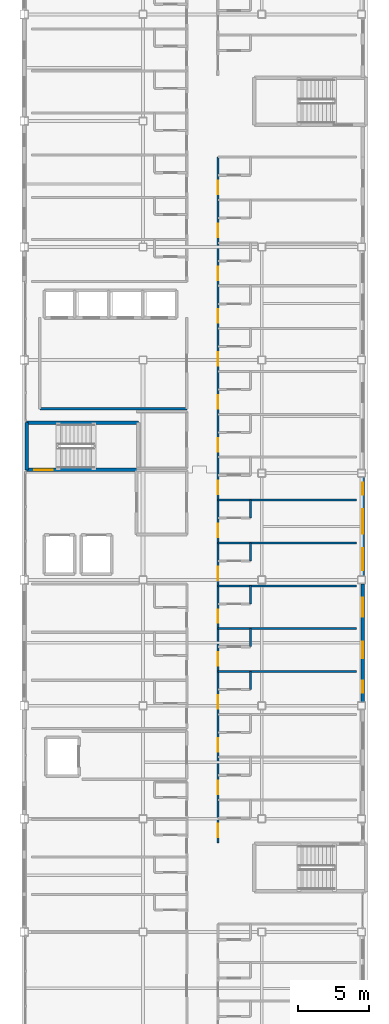
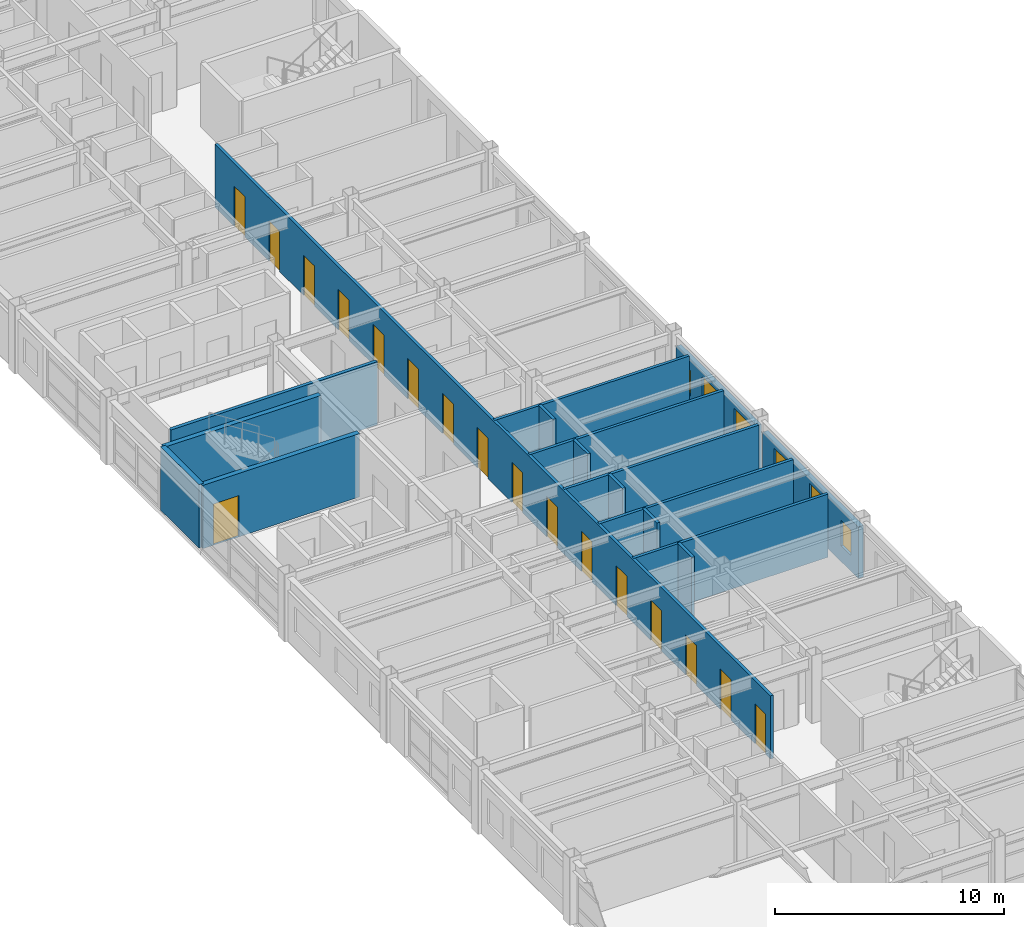
# One storey, part 28 of 36: 17 doors, 17 walls, 6 windows, 23 openings.
"""IFC4 building model written with IfcOpenShell, lengths in metres."""

from ifc_helpers import new_model, si_unit, direction, frame, frame_2d, origin, place, context, subcontext, project, spatial, rectangle, extrude, material, layer, layer_set, type_object, element, fill, save


model = new_model("IFC4")

# Units and contexts
model_context = context("Model", 3, precision=1e-05, world=origin(), true_north=direction((0.0, 1.0)))
body_context = subcontext(model_context, "Body", "Model", "MODEL_VIEW")
ifc_project = project(units=[si_unit("LENGTHUNIT", "METRE"), si_unit("AREAUNIT", "SQUARE_METRE"), si_unit("VOLUMEUNIT", "CUBIC_METRE"), si_unit("PLANEANGLEUNIT", "RADIAN"), si_unit("MASSUNIT", "GRAM", prefix="KILO")], contexts=[model_context])

# Site, building, storey
site_placement = place(None, origin())
site = spatial("IfcSite", under=ifc_project, at=site_placement, CompositionType="ELEMENT")
building_placement = place(site_placement, origin())
building = spatial("IfcBuilding", under=site, at=building_placement, Name="Kazehara Bluff Congress Hotel", CompositionType="ELEMENT")
storey_placement = place(building_placement, frame((0.0, 0.0, 31.800048828125)))
storey = spatial("IfcBuildingStorey", under=building, at=storey_placement, Name="L07", CompositionType="ELEMENT", Elevation=31.800048828125)

# Wall
ifc_material_1 = material(Name="Concrete C40/50", Category="concrete")
ifc_layer_1 = layer(ifc_material_1, 0.25)
ifc_layer_set_1 = layer_set([ifc_layer_1], Name="Concrete C40/50")
wall_type_1 = type_object("IfcWallType", Name="TP-CW-RC", PredefinedType="SHEAR", material=ifc_layer_set_1)
wall_1_placement = place(storey_placement, frame((143.875, 48.675048828125, 0.0), z_axis=(0.0, 0.0, 1.0), x_axis=(0.0, 1.0, 0.0)))
element("IfcWall", 1, at=wall_1_placement, inside=storey, type_object=wall_type_1, Name="L07 ST-11 core wall near", PredefinedType="SHEAR", context=body_context, shape_type="SweptSolid", body=[
    extrude(rectangle(XDim=3.349853515625, YDim=0.25, at=frame_2d((1.6748046875, 0.0))), origin(), (0.0, 0.0, 1.0), 3.3798828125),
])

# Wall, opening, door
wall_2_placement = place(storey_placement, frame((151.77490234375, 48.675048828125, 0.0), z_axis=(0.0, 0.0, 1.0), x_axis=(-1.0, 0.0, 0.0)))
wall_2 = element("IfcWall", 2, at=wall_2_placement, inside=storey, type_object=wall_type_1, Name="L07 ST-11 core wall left", PredefinedType="SHEAR", context=body_context, shape_type="SweptSolid", body=[
    extrude(rectangle(XDim=7.89990234375, YDim=0.25, at=frame_2d((3.949951171875, 0.0))), origin(), (0.0, 0.0, 1.0), 3.3798828125),
])
opening_1_placement = place(wall_2_placement, frame((6.074951171875, 0.0, 0.0)))
opening_1 = element("IfcOpeningElement", 3, at=opening_1_placement, cuts=wall_2, Name="Opening FD-01", PredefinedType="OPENING", context=body_context, shape_type="SweptSolid", body=[
    extrude(rectangle(XDim=1.300048828125, YDim=2.199951171875, at=frame_2d((0.64990234375, 1.10009765625))), frame((0.0, 0.135009765625, 0.0), z_axis=(0.0, -1.0, 0.0), x_axis=(1.0, 0.0, 0.0)), (0.0, 0.0, 1.0), 0.27001953125),
])
ifc_material_2 = material(Name="Fire-rated painted steel leaf", Category="steel")
door_type_1 = type_object("IfcDoorType", Name="TP-FD-01", OperationType="NOTDEFINED", PredefinedType="DOOR", material=ifc_material_2)
door_1_placement = place(opening_1_placement, origin())
door_1 = element("IfcDoor", 4, at=door_1_placement, inside=storey, type_object=door_type_1, Name="L07 ST-11 fire stair door", OperationType="SINGLE_SWING_RIGHT", OverallHeight=2.199951171875, OverallWidth=1.300048828125, PredefinedType="DOOR", context=body_context, shape_type="SweptSolid", body=[
    extrude(rectangle(XDim=1.300048828125, YDim=2.199951171875, at=frame_2d((0.64990234375, 1.10009765625))), frame((0.0, 0.02490234375, 0.0), z_axis=(0.0, -1.0, 0.0), x_axis=(1.0, 0.0, 0.0)), (0.0, 0.0, 1.0), 0.050048828125),
])
fill(opening_1, door_1)

# Wall
wall_3_placement = place(storey_placement, frame((143.875, 52.02490234375, 0.0), z_axis=(0.0, 0.0, 1.0), x_axis=(1.0, 0.0, 0.0)))
element("IfcWall", 5, at=wall_3_placement, inside=storey, type_object=wall_type_1, Name="L07 ST-11 core wall right", PredefinedType="SHEAR", context=body_context, shape_type="SweptSolid", body=[
    extrude(rectangle(XDim=7.89990234375, YDim=0.25, at=frame_2d((3.949951171875, 0.0))), origin(), (0.0, 0.0, 1.0), 3.3798828125),
])

# Wall, openings, windows
ifc_material_3 = material(Name="Precast concrete C40/50", Category="concrete")
ifc_layer_2 = layer(ifc_material_3, 0.260009765625)
ifc_layer_set_2 = layer_set([ifc_layer_2], Name="Precast concrete C40/50")
wall_type_2 = type_object("IfcWallType", Name="TP-EW-260", PredefinedType="SOLIDWALL", material=ifc_layer_set_2)
wall_4_placement = place(storey_placement, frame((167.64990234375, 40.625, 0.0), z_axis=(0.0, 0.0, 1.0), x_axis=(0.0, -1.0, 0.0)))
wall_4 = element("IfcWall", 6, at=wall_4_placement, inside=storey, type_object=wall_type_2, Name="L07 hotel facade panel 93", PredefinedType="SOLIDWALL", context=body_context, shape_type="SweptSolid", body=[
    extrude(rectangle(XDim=8.35009765625, YDim=0.260009765625, at=frame_2d((4.175048828125, 0.0))), origin(), (0.0, 0.0, 1.0), 2.7548828125),
])
opening_2_placement = place(wall_4_placement, frame((6.85009765625, 0.0, 0.85009765625)))
opening_2 = element("IfcOpeningElement", 7, at=opening_2_placement, cuts=wall_4, Name="Opening WN-55", PredefinedType="OPENING", context=body_context, shape_type="SweptSolid", body=[
    extrude(rectangle(XDim=0.85009765625, YDim=1.35009765625, at=frame_2d((0.425048828125, 0.675048828125))), frame((0.0, 0.139892578125, 0.0), z_axis=(0.0, -1.0, 0.0), x_axis=(1.0, 0.0, 0.0)), (0.0, 0.0, 1.0), 0.280029296875),
])
opening_3_placement = place(wall_4_placement, frame((4.110107421875, 0.0, 0.85009765625)))
opening_3 = element("IfcOpeningElement", 8, at=opening_3_placement, cuts=wall_4, Name="Opening WN-03", PredefinedType="OPENING", context=body_context, shape_type="SweptSolid", body=[
    extrude(rectangle(XDim=1.14990234375, YDim=1.64990234375, at=frame_2d((0.574951171875, 0.824951171875))), frame((0.0, 0.139892578125, 0.0), z_axis=(0.0, -1.0, 0.0), x_axis=(1.0, 0.0, 0.0)), (0.0, 0.0, 1.0), 0.280029296875),
])
opening_4_placement = place(wall_4_placement, frame((0.97998046875, 0.0, 0.85009765625)))
opening_4 = element("IfcOpeningElement", 9, at=opening_4_placement, cuts=wall_4, Name="Opening WN-13", PredefinedType="OPENING", context=body_context, shape_type="SweptSolid", body=[
    extrude(rectangle(XDim=1.35009765625, YDim=1.64990234375, at=frame_2d((0.675048828125, 0.824951171875))), frame((0.0, 0.139892578125, 0.0), z_axis=(0.0, -1.0, 0.0), x_axis=(1.0, 0.0, 0.0)), (0.0, 0.0, 1.0), 0.280029296875),
])
ifc_material_4 = material(Name="Insulated low-E double glazing", Category="glass")
window_type_1 = type_object("IfcWindowType", Name="TP-WN-03", PartitioningType="SINGLE_PANEL", PredefinedType="WINDOW", material=ifc_material_4)
window_1_placement = place(opening_3_placement, origin())
window_1 = element("IfcWindow", 10, at=window_1_placement, inside=storey, type_object=window_type_1, Name="L07 guestroom window WN-03 174", OverallHeight=1.64990234375, OverallWidth=1.14990234375, PartitioningType="SINGLE_PANEL", PredefinedType="WINDOW", context=body_context, shape_type="SweptSolid", body=[
    extrude(rectangle(XDim=1.14990234375, YDim=1.64990234375, at=frame_2d((0.574951171875, 0.824951171875))), frame((0.0, 0.030029296875, 0.0), z_axis=(0.0, -1.0, 0.0), x_axis=(1.0, 0.0, 0.0)), (0.0, 0.0, 1.0), 0.06005859375),
])
fill(opening_3, window_1)
ifc_material_5 = material(Name="Insulated low-E double glazing", Category="glass")
window_type_2 = type_object("IfcWindowType", Name="TP-WN-13", PartitioningType="SINGLE_PANEL", PredefinedType="WINDOW", material=ifc_material_5)
window_2_placement = place(opening_4_placement, origin())
window_2 = element("IfcWindow", 11, at=window_2_placement, inside=storey, type_object=window_type_2, Name="L07 guestroom window WN-13 175", OverallHeight=1.64990234375, OverallWidth=1.35009765625, PartitioningType="SINGLE_PANEL", PredefinedType="WINDOW", context=body_context, shape_type="SweptSolid", body=[
    extrude(rectangle(XDim=1.35009765625, YDim=1.64990234375, at=frame_2d((0.675048828125, 0.824951171875))), frame((0.0, 0.030029296875, 0.0), z_axis=(0.0, -1.0, 0.0), x_axis=(1.0, 0.0, 0.0)), (0.0, 0.0, 1.0), 0.06005859375),
])
fill(opening_4, window_2)
ifc_material_6 = material(Name="Insulated low-E double glazing", Category="glass")
window_type_3 = type_object("IfcWindowType", Name="TP-WN-55", PartitioningType="SINGLE_PANEL", PredefinedType="WINDOW", material=ifc_material_6)
window_3_placement = place(opening_2_placement, origin())
window_3 = element("IfcWindow", 12, at=window_3_placement, inside=storey, type_object=window_type_3, Name="L07 guestroom window WN-55 173", OverallHeight=1.35009765625, OverallWidth=0.85009765625, PartitioningType="SINGLE_PANEL", PredefinedType="WINDOW", context=body_context, shape_type="SweptSolid", body=[
    extrude(rectangle(XDim=0.85009765625, YDim=1.35009765625, at=frame_2d((0.425048828125, 0.675048828125))), frame((0.0, 0.030029296875, 0.0), z_axis=(0.0, -1.0, 0.0), x_axis=(1.0, 0.0, 0.0)), (0.0, 0.0, 1.0), 0.06005859375),
])
fill(opening_2, window_3)

wall_5_placement = place(storey_placement, frame((167.64990234375, 48.175048828125, 0.0), z_axis=(0.0, 0.0, 1.0), x_axis=(0.0, -1.0, 0.0)))
wall_5 = element("IfcWall", 13, at=wall_5_placement, inside=storey, type_object=wall_type_2, Name="L07 hotel facade panel 94", PredefinedType="SOLIDWALL", context=body_context, shape_type="SweptSolid", body=[
    extrude(rectangle(XDim=7.0, YDim=0.260009765625, at=frame_2d((3.5, 0.0))), origin(), (0.0, 0.0, 1.0), 2.7548828125),
])
opening_5_placement = place(wall_5_placement, frame((5.050048828125, 0.0, 0.85009765625)))
opening_5 = element("IfcOpeningElement", 14, at=opening_5_placement, cuts=wall_5, Name="Opening WN-23", PredefinedType="OPENING", context=body_context, shape_type="SweptSolid", body=[
    extrude(rectangle(XDim=1.550048828125, YDim=1.64990234375, at=frame_2d((0.77490234375, 0.824951171875))), frame((0.0, 0.139892578125, 0.0), z_axis=(0.0, -1.0, 0.0), x_axis=(1.0, 0.0, 0.0)), (0.0, 0.0, 1.0), 0.280029296875),
])
opening_6_placement = place(wall_5_placement, frame((2.264892578125, 0.0, 0.85009765625)))
opening_6 = element("IfcOpeningElement", 15, at=opening_6_placement, cuts=wall_5, Name="Opening WN-33", PredefinedType="OPENING", context=body_context, shape_type="SweptSolid", body=[
    extrude(rectangle(XDim=1.75, YDim=1.64990234375, at=frame_2d((0.875, 0.824951171875))), frame((0.0, 0.139892578125, 0.0), z_axis=(0.0, -1.0, 0.0), x_axis=(1.0, 0.0, 0.0)), (0.0, 0.0, 1.0), 0.280029296875),
])
opening_7_placement = place(wall_5_placement, frame((0.389892578125, 0.0, 0.85009765625)))
opening_7 = element("IfcOpeningElement", 16, at=opening_7_placement, cuts=wall_5, Name="Opening WN-55", PredefinedType="OPENING", context=body_context, shape_type="SweptSolid", body=[
    extrude(rectangle(XDim=0.85009765625, YDim=1.35009765625, at=frame_2d((0.425048828125, 0.675048828125))), frame((0.0, 0.139892578125, 0.0), z_axis=(0.0, -1.0, 0.0), x_axis=(1.0, 0.0, 0.0)), (0.0, 0.0, 1.0), 0.280029296875),
])
ifc_material_7 = material(Name="Insulated low-E double glazing", Category="glass")
window_type_4 = type_object("IfcWindowType", Name="TP-WN-23", PartitioningType="SINGLE_PANEL", PredefinedType="WINDOW", material=ifc_material_7)
window_4_placement = place(opening_5_placement, origin())
window_4 = element("IfcWindow", 17, at=window_4_placement, inside=storey, type_object=window_type_4, Name="L07 guestroom window WN-23 176", OverallHeight=1.64990234375, OverallWidth=1.550048828125, PartitioningType="SINGLE_PANEL", PredefinedType="WINDOW", context=body_context, shape_type="SweptSolid", body=[
    extrude(rectangle(XDim=1.550048828125, YDim=1.64990234375, at=frame_2d((0.77490234375, 0.824951171875))), frame((0.0, 0.030029296875, 0.0), z_axis=(0.0, -1.0, 0.0), x_axis=(1.0, 0.0, 0.0)), (0.0, 0.0, 1.0), 0.06005859375),
])
fill(opening_5, window_4)
ifc_material_8 = material(Name="Insulated low-E double glazing", Category="glass")
window_type_5 = type_object("IfcWindowType", Name="TP-WN-33", PartitioningType="SINGLE_PANEL", PredefinedType="WINDOW", material=ifc_material_8)
window_5_placement = place(opening_6_placement, origin())
window_5 = element("IfcWindow", 18, at=window_5_placement, inside=storey, type_object=window_type_5, Name="L07 guestroom window WN-33 177", OverallHeight=1.64990234375, OverallWidth=1.75, PartitioningType="SINGLE_PANEL", PredefinedType="WINDOW", context=body_context, shape_type="SweptSolid", body=[
    extrude(rectangle(XDim=1.75, YDim=1.64990234375, at=frame_2d((0.875, 0.824951171875))), frame((0.0, 0.030029296875, 0.0), z_axis=(0.0, -1.0, 0.0), x_axis=(1.0, 0.0, 0.0)), (0.0, 0.0, 1.0), 0.06005859375),
])
fill(opening_6, window_5)
window_6_placement = place(opening_7_placement, origin())
window_6 = element("IfcWindow", 19, at=window_6_placement, inside=storey, type_object=window_type_3, Name="L07 guestroom window WN-55 178", OverallHeight=1.35009765625, OverallWidth=0.85009765625, PartitioningType="SINGLE_PANEL", PredefinedType="WINDOW", context=body_context, shape_type="SweptSolid", body=[
    extrude(rectangle(XDim=0.85009765625, YDim=1.35009765625, at=frame_2d((0.425048828125, 0.675048828125))), frame((0.0, 0.030029296875, 0.0), z_axis=(0.0, -1.0, 0.0), x_axis=(1.0, 0.0, 0.0)), (0.0, 0.0, 1.0), 0.06005859375),
])
fill(opening_7, window_6)

# Walls
ifc_material_9 = material(Name="Fire-rated gypsum board stud partition")
ifc_layer_3 = layer(ifc_material_9, 0.14990234375)
ifc_layer_set_3 = layer_set([ifc_layer_3], Name="Fire-rated gypsum board stud partition")
wall_type_3 = type_object("IfcWallType", Name="TP-PT-150", PredefinedType="PARTITIONING", material=ifc_layer_set_3)
for number, where, z_axis, x_axis, name in (
    (20, (157.39990234375, 34.419921875, 0.0), (0.0, 0.0, 1.0), (1.0, 0.0, 0.0), "L07 partition PT-150 888"),
    (21, (157.39990234375, 37.449951171875, 0.0), (0.0, 0.0, 1.0), (1.0, 0.0, 0.0), "L07 partition PT-150 892"),
    (22, (157.39990234375, 40.47998046875, 0.0), (0.0, 0.0, 1.0), (1.0, 0.0, 0.0), "L07 partition PT-150 895"),
    (23, (157.39990234375, 43.52001953125, 0.0), (0.0, 0.0, 1.0), (1.0, 0.0, 0.0), "L07 partition PT-150 899"),
    (24, (157.39990234375, 46.550048828125, 0.0), (0.0, 0.0, 1.0), (1.0, 0.0, 0.0), "L07 partition PT-150 902"),
):
    element("IfcWall", number, at=place(storey_placement, frame(where, z_axis=z_axis, x_axis=x_axis)), inside=storey, type_object=wall_type_3, Name=name, PredefinedType="PARTITIONING", context=body_context, shape_type="SweptSolid", body=[
        extrude(rectangle(XDim=9.800048828125, YDim=0.14990234375, at=frame_2d((4.89990234375, 0.0))), origin(), (0.0, 0.0, 1.0), 3.364990234375),
    ])

# Wall, openings, doors
wall_6_placement = place(storey_placement, frame((157.39990234375, 22.300048828125, 0.0), z_axis=(0.0, 0.0, 1.0), x_axis=(0.0, 1.0, 0.0)))
wall_6 = element("IfcWall", 25, at=wall_6_placement, inside=storey, type_object=wall_type_3, Name="L07 partition PT-150 983", PredefinedType="PARTITIONING", context=body_context, shape_type="SweptSolid", body=[
    extrude(rectangle(XDim=48.5, YDim=0.14990234375, at=frame_2d((24.25, 0.0))), origin(), (0.0, 0.0, 1.0), 3.364990234375),
])
opening_8_placement = place(wall_6_placement, frame((0.39990234375, 0.0, 0.0)))
opening_8 = element("IfcOpeningElement", 26, at=opening_8_placement, cuts=wall_6, Name="Opening GD-01", PredefinedType="OPENING", context=body_context, shape_type="SweptSolid", body=[
    extrude(rectangle(XDim=0.949951171875, YDim=2.14990234375, at=frame_2d((0.47509765625, 1.074951171875))), frame((0.0, 0.0849609375, 0.0), z_axis=(0.0, -1.0, 0.0), x_axis=(1.0, 0.0, 0.0)), (0.0, 0.0, 1.0), 0.169921875),
])
opening_9_placement = place(wall_6_placement, frame((3.429931640625, 0.0, 0.0)))
opening_9 = element("IfcOpeningElement", 27, at=opening_9_placement, cuts=wall_6, Name="Opening GD-01", PredefinedType="OPENING", context=body_context, shape_type="SweptSolid", body=[
    extrude(rectangle(XDim=0.949951171875, YDim=2.14990234375, at=frame_2d((0.47509765625, 1.074951171875))), frame((0.0, 0.0849609375, 0.0), z_axis=(0.0, -1.0, 0.0), x_axis=(1.0, 0.0, 0.0)), (0.0, 0.0, 1.0), 0.169921875),
])
opening_10_placement = place(wall_6_placement, frame((6.4599609375, 0.0, 0.0)))
opening_10 = element("IfcOpeningElement", 28, at=opening_10_placement, cuts=wall_6, Name="Opening GD-01", PredefinedType="OPENING", context=body_context, shape_type="SweptSolid", body=[
    extrude(rectangle(XDim=0.949951171875, YDim=2.14990234375, at=frame_2d((0.47509765625, 1.074951171875))), frame((0.0, 0.0849609375, 0.0), z_axis=(0.0, -1.0, 0.0), x_axis=(1.0, 0.0, 0.0)), (0.0, 0.0, 1.0), 0.169921875),
])
opening_11_placement = place(wall_6_placement, frame((9.4951171875, 0.0, 0.0)))
opening_11 = element("IfcOpeningElement", 29, at=opening_11_placement, cuts=wall_6, Name="Opening GD-01", PredefinedType="OPENING", context=body_context, shape_type="SweptSolid", body=[
    extrude(rectangle(XDim=0.949951171875, YDim=2.14990234375, at=frame_2d((0.47509765625, 1.074951171875))), frame((0.0, 0.0849609375, 0.0), z_axis=(0.0, -1.0, 0.0), x_axis=(1.0, 0.0, 0.0)), (0.0, 0.0, 1.0), 0.169921875),
])
opening_12_placement = place(wall_6_placement, frame((12.52490234375, 0.0, 0.0)))
opening_12 = element("IfcOpeningElement", 30, at=opening_12_placement, cuts=wall_6, Name="Opening GD-01", PredefinedType="OPENING", context=body_context, shape_type="SweptSolid", body=[
    extrude(rectangle(XDim=0.949951171875, YDim=2.14990234375, at=frame_2d((0.47509765625, 1.074951171875))), frame((0.0, 0.0849609375, 0.0), z_axis=(0.0, -1.0, 0.0), x_axis=(1.0, 0.0, 0.0)), (0.0, 0.0, 1.0), 0.169921875),
])
opening_13_placement = place(wall_6_placement, frame((15.554931640625, 0.0, 0.0)))
opening_13 = element("IfcOpeningElement", 31, at=opening_13_placement, cuts=wall_6, Name="Opening GD-01", PredefinedType="OPENING", context=body_context, shape_type="SweptSolid", body=[
    extrude(rectangle(XDim=0.949951171875, YDim=2.14990234375, at=frame_2d((0.47509765625, 1.074951171875))), frame((0.0, 0.0849609375, 0.0), z_axis=(0.0, -1.0, 0.0), x_axis=(1.0, 0.0, 0.0)), (0.0, 0.0, 1.0), 0.169921875),
])
opening_14_placement = place(wall_6_placement, frame((18.5849609375, 0.0, 0.0)))
opening_14 = element("IfcOpeningElement", 32, at=opening_14_placement, cuts=wall_6, Name="Opening GD-01", PredefinedType="OPENING", context=body_context, shape_type="SweptSolid", body=[
    extrude(rectangle(XDim=0.949951171875, YDim=2.14990234375, at=frame_2d((0.47509765625, 1.074951171875))), frame((0.0, 0.0849609375, 0.0), z_axis=(0.0, -1.0, 0.0), x_axis=(1.0, 0.0, 0.0)), (0.0, 0.0, 1.0), 0.169921875),
])
opening_15_placement = place(wall_6_placement, frame((21.6201171875, 0.0, 0.0)))
opening_15 = element("IfcOpeningElement", 33, at=opening_15_placement, cuts=wall_6, Name="Opening GD-01", PredefinedType="OPENING", context=body_context, shape_type="SweptSolid", body=[
    extrude(rectangle(XDim=0.949951171875, YDim=2.14990234375, at=frame_2d((0.47509765625, 1.074951171875))), frame((0.0, 0.0849609375, 0.0), z_axis=(0.0, -1.0, 0.0), x_axis=(1.0, 0.0, 0.0)), (0.0, 0.0, 1.0), 0.169921875),
])
opening_16_placement = place(wall_6_placement, frame((24.64990234375, 0.0, 0.0)))
opening_16 = element("IfcOpeningElement", 34, at=opening_16_placement, cuts=wall_6, Name="Opening GD-01", PredefinedType="OPENING", context=body_context, shape_type="SweptSolid", body=[
    extrude(rectangle(XDim=0.949951171875, YDim=2.14990234375, at=frame_2d((0.47509765625, 1.074951171875))), frame((0.0, 0.0849609375, 0.0), z_axis=(0.0, -1.0, 0.0), x_axis=(1.0, 0.0, 0.0)), (0.0, 0.0, 1.0), 0.169921875),
])
opening_17_placement = place(wall_6_placement, frame((27.679931640625, 0.0, 0.0)))
opening_17 = element("IfcOpeningElement", 35, at=opening_17_placement, cuts=wall_6, Name="Opening GD-01", PredefinedType="OPENING", context=body_context, shape_type="SweptSolid", body=[
    extrude(rectangle(XDim=0.949951171875, YDim=2.14990234375, at=frame_2d((0.47509765625, 1.074951171875))), frame((0.0, 0.0849609375, 0.0), z_axis=(0.0, -1.0, 0.0), x_axis=(1.0, 0.0, 0.0)), (0.0, 0.0, 1.0), 0.169921875),
])
opening_18_placement = place(wall_6_placement, frame((30.7099609375, 0.0, 0.0)))
opening_18 = element("IfcOpeningElement", 36, at=opening_18_placement, cuts=wall_6, Name="Opening GD-01", PredefinedType="OPENING", context=body_context, shape_type="SweptSolid", body=[
    extrude(rectangle(XDim=0.949951171875, YDim=2.14990234375, at=frame_2d((0.47509765625, 1.074951171875))), frame((0.0, 0.0849609375, 0.0), z_axis=(0.0, -1.0, 0.0), x_axis=(1.0, 0.0, 0.0)), (0.0, 0.0, 1.0), 0.169921875),
])
opening_19_placement = place(wall_6_placement, frame((33.7451171875, 0.0, 0.0)))
opening_19 = element("IfcOpeningElement", 37, at=opening_19_placement, cuts=wall_6, Name="Opening GD-01", PredefinedType="OPENING", context=body_context, shape_type="SweptSolid", body=[
    extrude(rectangle(XDim=0.949951171875, YDim=2.14990234375, at=frame_2d((0.47509765625, 1.074951171875))), frame((0.0, 0.0849609375, 0.0), z_axis=(0.0, -1.0, 0.0), x_axis=(1.0, 0.0, 0.0)), (0.0, 0.0, 1.0), 0.169921875),
])
opening_20_placement = place(wall_6_placement, frame((36.77490234375, 0.0, 0.0)))
opening_20 = element("IfcOpeningElement", 38, at=opening_20_placement, cuts=wall_6, Name="Opening GD-01", PredefinedType="OPENING", context=body_context, shape_type="SweptSolid", body=[
    extrude(rectangle(XDim=0.949951171875, YDim=2.14990234375, at=frame_2d((0.47509765625, 1.074951171875))), frame((0.0, 0.0849609375, 0.0), z_axis=(0.0, -1.0, 0.0), x_axis=(1.0, 0.0, 0.0)), (0.0, 0.0, 1.0), 0.169921875),
])
opening_21_placement = place(wall_6_placement, frame((39.804931640625, 0.0, 0.0)))
opening_21 = element("IfcOpeningElement", 39, at=opening_21_placement, cuts=wall_6, Name="Opening GD-01", PredefinedType="OPENING", context=body_context, shape_type="SweptSolid", body=[
    extrude(rectangle(XDim=0.949951171875, YDim=2.14990234375, at=frame_2d((0.47509765625, 1.074951171875))), frame((0.0, 0.0849609375, 0.0), z_axis=(0.0, -1.0, 0.0), x_axis=(1.0, 0.0, 0.0)), (0.0, 0.0, 1.0), 0.169921875),
])
opening_22_placement = place(wall_6_placement, frame((42.840087890625, 0.0, 0.0)))
opening_22 = element("IfcOpeningElement", 40, at=opening_22_placement, cuts=wall_6, Name="Opening GD-01", PredefinedType="OPENING", context=body_context, shape_type="SweptSolid", body=[
    extrude(rectangle(XDim=0.949951171875, YDim=2.14990234375, at=frame_2d((0.47509765625, 1.074951171875))), frame((0.0, 0.0849609375, 0.0), z_axis=(0.0, -1.0, 0.0), x_axis=(1.0, 0.0, 0.0)), (0.0, 0.0, 1.0), 0.169921875),
])
opening_23_placement = place(wall_6_placement, frame((45.8701171875, 0.0, 0.0)))
opening_23 = element("IfcOpeningElement", 41, at=opening_23_placement, cuts=wall_6, Name="Opening GD-01", PredefinedType="OPENING", context=body_context, shape_type="SweptSolid", body=[
    extrude(rectangle(XDim=0.949951171875, YDim=2.14990234375, at=frame_2d((0.47509765625, 1.074951171875))), frame((0.0, 0.0849609375, 0.0), z_axis=(0.0, -1.0, 0.0), x_axis=(1.0, 0.0, 0.0)), (0.0, 0.0, 1.0), 0.169921875),
])
ifc_material_10 = material(Name="Architectural oak veneer leaf")
door_type_2 = type_object("IfcDoorType", Name="TP-GD-01", OperationType="NOTDEFINED", PredefinedType="DOOR", material=ifc_material_10)
door_2_placement = place(opening_8_placement, origin())
door_2 = element("IfcDoor", 42, at=door_2_placement, inside=storey, type_object=door_type_2, Name="L07 Deluxe Twin Guest Room 186 door", OperationType="SINGLE_SWING_LEFT", OverallHeight=2.14990234375, OverallWidth=0.949951171875, PredefinedType="DOOR", context=body_context, shape_type="SweptSolid", body=[
    extrude(rectangle(XDim=0.949951171875, YDim=2.14990234375, at=frame_2d((0.47509765625, 1.074951171875))), frame((0.0, 0.02490234375, 0.0), z_axis=(0.0, -1.0, 0.0), x_axis=(1.0, 0.0, 0.0)), (0.0, 0.0, 1.0), 0.050048828125),
])
fill(opening_8, door_2)
door_3_placement = place(opening_9_placement, origin())
door_3 = element("IfcDoor", 43, at=door_3_placement, inside=storey, type_object=door_type_2, Name="L07 Standard King Guest Room 187 door", OperationType="SINGLE_SWING_LEFT", OverallHeight=2.14990234375, OverallWidth=0.949951171875, PredefinedType="DOOR", context=body_context, shape_type="SweptSolid", body=[
    extrude(rectangle(XDim=0.949951171875, YDim=2.14990234375, at=frame_2d((0.47509765625, 1.074951171875))), frame((0.0, 0.02490234375, 0.0), z_axis=(0.0, -1.0, 0.0), x_axis=(1.0, 0.0, 0.0)), (0.0, 0.0, 1.0), 0.050048828125),
])
fill(opening_9, door_3)
door_4_placement = place(opening_10_placement, origin())
door_4 = element("IfcDoor", 44, at=door_4_placement, inside=storey, type_object=door_type_2, Name="L07 Deluxe Twin Guest Room 188 door", OperationType="SINGLE_SWING_LEFT", OverallHeight=2.14990234375, OverallWidth=0.949951171875, PredefinedType="DOOR", context=body_context, shape_type="SweptSolid", body=[
    extrude(rectangle(XDim=0.949951171875, YDim=2.14990234375, at=frame_2d((0.47509765625, 1.074951171875))), frame((0.0, 0.02490234375, 0.0), z_axis=(0.0, -1.0, 0.0), x_axis=(1.0, 0.0, 0.0)), (0.0, 0.0, 1.0), 0.050048828125),
])
fill(opening_10, door_4)
door_5_placement = place(opening_11_placement, origin())
door_5 = element("IfcDoor", 45, at=door_5_placement, inside=storey, type_object=door_type_2, Name="L07 Standard King Guest Room 189 door", OperationType="SINGLE_SWING_LEFT", OverallHeight=2.14990234375, OverallWidth=0.949951171875, PredefinedType="DOOR", context=body_context, shape_type="SweptSolid", body=[
    extrude(rectangle(XDim=0.949951171875, YDim=2.14990234375, at=frame_2d((0.47509765625, 1.074951171875))), frame((0.0, 0.02490234375, 0.0), z_axis=(0.0, -1.0, 0.0), x_axis=(1.0, 0.0, 0.0)), (0.0, 0.0, 1.0), 0.050048828125),
])
fill(opening_11, door_5)
door_6_placement = place(opening_12_placement, origin())
door_6 = element("IfcDoor", 46, at=door_6_placement, inside=storey, type_object=door_type_2, Name="L07 Deluxe Twin Guest Room 190 door", OperationType="SINGLE_SWING_LEFT", OverallHeight=2.14990234375, OverallWidth=0.949951171875, PredefinedType="DOOR", context=body_context, shape_type="SweptSolid", body=[
    extrude(rectangle(XDim=0.949951171875, YDim=2.14990234375, at=frame_2d((0.47509765625, 1.074951171875))), frame((0.0, 0.02490234375, 0.0), z_axis=(0.0, -1.0, 0.0), x_axis=(1.0, 0.0, 0.0)), (0.0, 0.0, 1.0), 0.050048828125),
])
fill(opening_12, door_6)
door_7_placement = place(opening_13_placement, origin())
door_7 = element("IfcDoor", 47, at=door_7_placement, inside=storey, type_object=door_type_2, Name="L07 Standard King Guest Room 191 door", OperationType="SINGLE_SWING_LEFT", OverallHeight=2.14990234375, OverallWidth=0.949951171875, PredefinedType="DOOR", context=body_context, shape_type="SweptSolid", body=[
    extrude(rectangle(XDim=0.949951171875, YDim=2.14990234375, at=frame_2d((0.47509765625, 1.074951171875))), frame((0.0, 0.02490234375, 0.0), z_axis=(0.0, -1.0, 0.0), x_axis=(1.0, 0.0, 0.0)), (0.0, 0.0, 1.0), 0.050048828125),
])
fill(opening_13, door_7)
door_8_placement = place(opening_14_placement, origin())
door_8 = element("IfcDoor", 48, at=door_8_placement, inside=storey, type_object=door_type_2, Name="L07 Deluxe Twin Guest Room 192 door", OperationType="SINGLE_SWING_LEFT", OverallHeight=2.14990234375, OverallWidth=0.949951171875, PredefinedType="DOOR", context=body_context, shape_type="SweptSolid", body=[
    extrude(rectangle(XDim=0.949951171875, YDim=2.14990234375, at=frame_2d((0.47509765625, 1.074951171875))), frame((0.0, 0.02490234375, 0.0), z_axis=(0.0, -1.0, 0.0), x_axis=(1.0, 0.0, 0.0)), (0.0, 0.0, 1.0), 0.050048828125),
])
fill(opening_14, door_8)
door_9_placement = place(opening_15_placement, origin())
door_9 = element("IfcDoor", 49, at=door_9_placement, inside=storey, type_object=door_type_2, Name="L07 Standard King Guest Room 193 door", OperationType="SINGLE_SWING_LEFT", OverallHeight=2.14990234375, OverallWidth=0.949951171875, PredefinedType="DOOR", context=body_context, shape_type="SweptSolid", body=[
    extrude(rectangle(XDim=0.949951171875, YDim=2.14990234375, at=frame_2d((0.47509765625, 1.074951171875))), frame((0.0, 0.02490234375, 0.0), z_axis=(0.0, -1.0, 0.0), x_axis=(1.0, 0.0, 0.0)), (0.0, 0.0, 1.0), 0.050048828125),
])
fill(opening_15, door_9)
door_10_placement = place(opening_16_placement, origin())
door_10 = element("IfcDoor", 50, at=door_10_placement, inside=storey, type_object=door_type_2, Name="L07 Deluxe Twin Guest Room 194 door", OperationType="SINGLE_SWING_LEFT", OverallHeight=2.14990234375, OverallWidth=0.949951171875, PredefinedType="DOOR", context=body_context, shape_type="SweptSolid", body=[
    extrude(rectangle(XDim=0.949951171875, YDim=2.14990234375, at=frame_2d((0.47509765625, 1.074951171875))), frame((0.0, 0.02490234375, 0.0), z_axis=(0.0, -1.0, 0.0), x_axis=(1.0, 0.0, 0.0)), (0.0, 0.0, 1.0), 0.050048828125),
])
fill(opening_16, door_10)
door_11_placement = place(opening_17_placement, origin())
door_11 = element("IfcDoor", 51, at=door_11_placement, inside=storey, type_object=door_type_2, Name="L07 Standard King Guest Room 195 door", OperationType="SINGLE_SWING_LEFT", OverallHeight=2.14990234375, OverallWidth=0.949951171875, PredefinedType="DOOR", context=body_context, shape_type="SweptSolid", body=[
    extrude(rectangle(XDim=0.949951171875, YDim=2.14990234375, at=frame_2d((0.47509765625, 1.074951171875))), frame((0.0, 0.02490234375, 0.0), z_axis=(0.0, -1.0, 0.0), x_axis=(1.0, 0.0, 0.0)), (0.0, 0.0, 1.0), 0.050048828125),
])
fill(opening_17, door_11)
door_12_placement = place(opening_18_placement, origin())
door_12 = element("IfcDoor", 52, at=door_12_placement, inside=storey, type_object=door_type_2, Name="L07 Deluxe Twin Guest Room 196 door", OperationType="SINGLE_SWING_LEFT", OverallHeight=2.14990234375, OverallWidth=0.949951171875, PredefinedType="DOOR", context=body_context, shape_type="SweptSolid", body=[
    extrude(rectangle(XDim=0.949951171875, YDim=2.14990234375, at=frame_2d((0.47509765625, 1.074951171875))), frame((0.0, 0.02490234375, 0.0), z_axis=(0.0, -1.0, 0.0), x_axis=(1.0, 0.0, 0.0)), (0.0, 0.0, 1.0), 0.050048828125),
])
fill(opening_18, door_12)
door_13_placement = place(opening_19_placement, origin())
door_13 = element("IfcDoor", 53, at=door_13_placement, inside=storey, type_object=door_type_2, Name="L07 Standard King Guest Room 197 door", OperationType="SINGLE_SWING_LEFT", OverallHeight=2.14990234375, OverallWidth=0.949951171875, PredefinedType="DOOR", context=body_context, shape_type="SweptSolid", body=[
    extrude(rectangle(XDim=0.949951171875, YDim=2.14990234375, at=frame_2d((0.47509765625, 1.074951171875))), frame((0.0, 0.02490234375, 0.0), z_axis=(0.0, -1.0, 0.0), x_axis=(1.0, 0.0, 0.0)), (0.0, 0.0, 1.0), 0.050048828125),
])
fill(opening_19, door_13)
door_14_placement = place(opening_20_placement, origin())
door_14 = element("IfcDoor", 54, at=door_14_placement, inside=storey, type_object=door_type_2, Name="L07 Deluxe Twin Guest Room 198 door", OperationType="SINGLE_SWING_LEFT", OverallHeight=2.14990234375, OverallWidth=0.949951171875, PredefinedType="DOOR", context=body_context, shape_type="SweptSolid", body=[
    extrude(rectangle(XDim=0.949951171875, YDim=2.14990234375, at=frame_2d((0.47509765625, 1.074951171875))), frame((0.0, 0.02490234375, 0.0), z_axis=(0.0, -1.0, 0.0), x_axis=(1.0, 0.0, 0.0)), (0.0, 0.0, 1.0), 0.050048828125),
])
fill(opening_20, door_14)
door_15_placement = place(opening_21_placement, origin())
door_15 = element("IfcDoor", 55, at=door_15_placement, inside=storey, type_object=door_type_2, Name="L07 Standard King Guest Room 199 door", OperationType="SINGLE_SWING_LEFT", OverallHeight=2.14990234375, OverallWidth=0.949951171875, PredefinedType="DOOR", context=body_context, shape_type="SweptSolid", body=[
    extrude(rectangle(XDim=0.949951171875, YDim=2.14990234375, at=frame_2d((0.47509765625, 1.074951171875))), frame((0.0, 0.02490234375, 0.0), z_axis=(0.0, -1.0, 0.0), x_axis=(1.0, 0.0, 0.0)), (0.0, 0.0, 1.0), 0.050048828125),
])
fill(opening_21, door_15)
door_16_placement = place(opening_22_placement, origin())
door_16 = element("IfcDoor", 56, at=door_16_placement, inside=storey, type_object=door_type_2, Name="L07 Deluxe Twin Guest Room 200 door", OperationType="SINGLE_SWING_LEFT", OverallHeight=2.14990234375, OverallWidth=0.949951171875, PredefinedType="DOOR", context=body_context, shape_type="SweptSolid", body=[
    extrude(rectangle(XDim=0.949951171875, YDim=2.14990234375, at=frame_2d((0.47509765625, 1.074951171875))), frame((0.0, 0.02490234375, 0.0), z_axis=(0.0, -1.0, 0.0), x_axis=(1.0, 0.0, 0.0)), (0.0, 0.0, 1.0), 0.050048828125),
])
fill(opening_22, door_16)
door_17_placement = place(opening_23_placement, origin())
door_17 = element("IfcDoor", 57, at=door_17_placement, inside=storey, type_object=door_type_2, Name="L07 Standard King Guest Room 201 door", OperationType="SINGLE_SWING_LEFT", OverallHeight=2.14990234375, OverallWidth=0.949951171875, PredefinedType="DOOR", context=body_context, shape_type="SweptSolid", body=[
    extrude(rectangle(XDim=0.949951171875, YDim=2.14990234375, at=frame_2d((0.47509765625, 1.074951171875))), frame((0.0, 0.02490234375, 0.0), z_axis=(0.0, -1.0, 0.0), x_axis=(1.0, 0.0, 0.0)), (0.0, 0.0, 1.0), 0.050048828125),
])
fill(opening_23, door_17)

# Walls
for number, where, z_axis, x_axis, name in (
    (58, (159.699951171875, 33.14501953125, 0.0), (0.0, 0.0, 1.0), (0.0, 1.0, 0.0), "L07 partition PT-150 991"),
    (59, (159.699951171875, 36.175048828125, 0.0), (0.0, 0.0, 1.0), (0.0, 1.0, 0.0), "L07 partition PT-150 992"),
    (60, (159.699951171875, 39.205078125, 0.0), (0.0, 0.0, 1.0), (0.0, 1.0, 0.0), "L07 partition PT-150 993"),
):
    element("IfcWall", number, at=place(storey_placement, frame(where, z_axis=z_axis, x_axis=x_axis)), inside=storey, type_object=wall_type_3, Name=name, PredefinedType="PARTITIONING", context=body_context, shape_type="SweptSolid", body=[
        extrude(rectangle(XDim=1.280029296875, YDim=0.14990234375, at=frame_2d((0.64013671875, 0.0))), origin(), (0.0, 0.0, 1.0), 3.364990234375),
    ])
wall_7_placement = place(storey_placement, frame((159.699951171875, 42.235107421875, 0.0), z_axis=(0.0, 0.0, 1.0), x_axis=(0.0, 1.0, 0.0)))
element("IfcWall", 61, at=wall_7_placement, inside=storey, type_object=wall_type_3, Name="L07 partition PT-150 994", PredefinedType="PARTITIONING", context=body_context, shape_type="SweptSolid", body=[
    extrude(rectangle(XDim=1.284912109375, YDim=0.14990234375, at=frame_2d((0.642578125, 0.0))), origin(), (0.0, 0.0, 1.0), 3.364990234375),
])
wall_8_placement = place(storey_placement, frame((159.699951171875, 45.27001953125, 0.0), z_axis=(0.0, 0.0, 1.0), x_axis=(0.0, 1.0, 0.0)))
element("IfcWall", 62, at=wall_8_placement, inside=storey, type_object=wall_type_3, Name="L07 partition PT-150 995", PredefinedType="PARTITIONING", context=body_context, shape_type="SweptSolid", body=[
    extrude(rectangle(XDim=1.280029296875, YDim=0.14990234375, at=frame_2d((0.64013671875, 0.0))), origin(), (0.0, 0.0, 1.0), 3.364990234375),
])
ifc_material_11 = material(Name="Fire-rated gypsum board stud partition")
ifc_layer_4 = layer(ifc_material_11, 0.169921875)
ifc_layer_set_4 = layer_set([ifc_layer_4], Name="Fire-rated gypsum board stud partition")
wall_type_4 = type_object("IfcWallType", Name="TP-PT-180", PredefinedType="PARTITIONING", material=ifc_layer_set_4)
wall_9_placement = place(storey_placement, frame((144.800048828125, 53.0, 0.0), z_axis=(0.0, 0.0, 1.0), x_axis=(1.0, 0.0, 0.0)))
element("IfcWall", 63, at=wall_9_placement, inside=storey, type_object=wall_type_4, Name="L07 partition PT-180 910", PredefinedType="PARTITIONING", context=body_context, shape_type="SweptSolid", body=[
    extrude(rectangle(XDim=10.39990234375, YDim=0.169921875, at=frame_2d((5.199951171875, 0.0))), origin(), (0.0, 0.0, 1.0), 3.364990234375),
])

save(model, "model.ifc")
